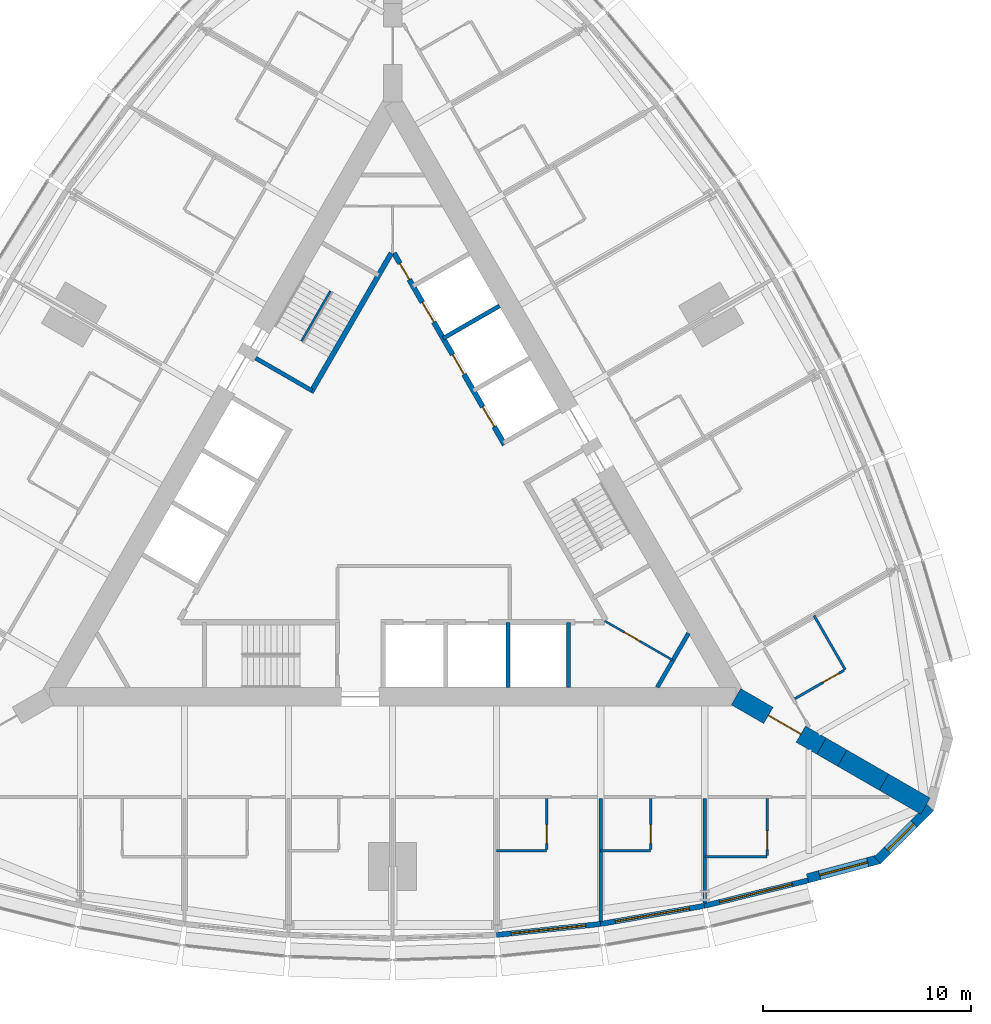
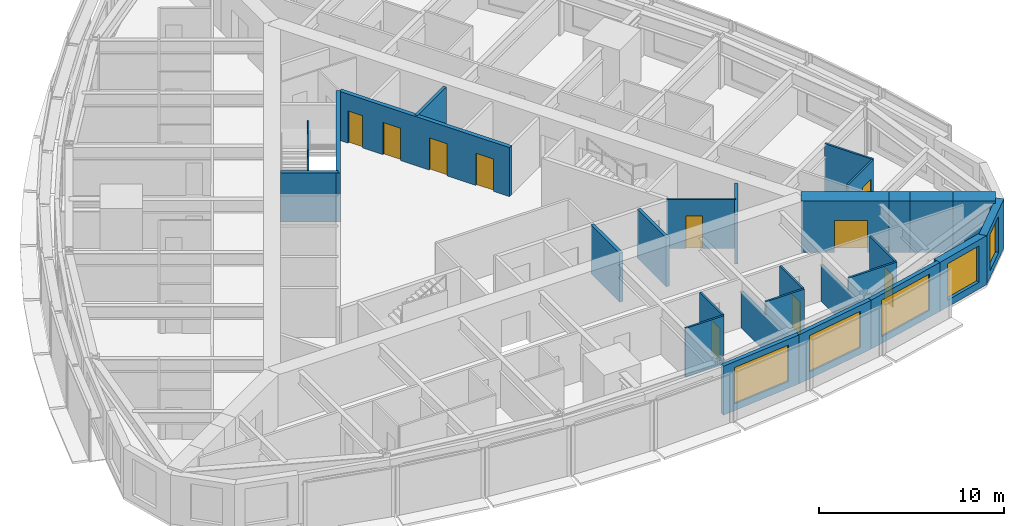
# One storey, part 10 of 14: 28 walls, 10 doors, 5 windows, 15 openings.
"""IFC4 building model written with IfcOpenShell, lengths in metres."""

from ifc_helpers import new_model, si_unit, direction, frame, frame_2d, origin, place, context, subcontext, project, spatial, polyline, rectangle, outline, extrude, material, layer, layer_set, type_object, element, fill, save


model = new_model("IFC4")

# Units and contexts
model_context = context("Model", 3, precision=1e-05, world=origin(), true_north=direction((0.0, 1.0)))
body_context = subcontext(model_context, "Body", "Model", "MODEL_VIEW")
ifc_project = project(units=[si_unit("LENGTHUNIT", "METRE"), si_unit("AREAUNIT", "SQUARE_METRE"), si_unit("VOLUMEUNIT", "CUBIC_METRE"), si_unit("PLANEANGLEUNIT", "RADIAN"), si_unit("MASSUNIT", "GRAM", prefix="KILO")], contexts=[model_context])

# Site, building, storey
site_placement = place(None, origin())
site = spatial("IfcSite", under=ifc_project, at=site_placement, CompositionType="ELEMENT")
building_placement = place(site_placement, origin())
building = spatial("IfcBuilding", under=site, at=building_placement, Name="Trikona Tower", CompositionType="ELEMENT")
storey_placement = place(building_placement, frame((0.0, 0.0, 148.699951171875)))
storey = spatial("IfcBuildingStorey", under=building, at=storey_placement, Name="L39", CompositionType="ELEMENT", Elevation=148.699951171875)

# Wall
ifc_material_1 = material(Name="Metal stud and cement board", Category="gypsum")
ifc_layer_1 = layer(ifc_material_1, 0.1201171875)
ifc_layer_set_1 = layer_set([ifc_layer_1], Name="Bathroom wall 120")
wall_type_1 = type_object("IfcWallType", Name="Bathroom wall 120", PredefinedType="PLUMBINGWALL", material=ifc_layer_set_1)
wall_1_placement = place(storey_placement, frame((5.0, -16.92626953125, 0.0), z_axis=(0.0, 0.0, 1.0), x_axis=(1.0, 0.0, 0.0)))
element("IfcWall", 1, at=wall_1_placement, inside=storey, type_object=wall_type_1, Name="Bathroom wall 3904", PredefinedType="PLUMBINGWALL", context=body_context, shape_type="SweptSolid", body=[
    extrude(rectangle(XDim=2.39990234375, YDim=0.1201171875, at=frame_2d((1.199951171875, 0.0))), origin(), (0.0, 0.0, 1.0), 3.235107421875),
])

# Wall, opening, door
wall_2_placement = place(storey_placement, frame((7.39990234375, -14.42626953125, 0.0), z_axis=(0.0, 0.0, 1.0), x_axis=(0.0, -1.0, 0.0)))
wall_2 = element("IfcWall", 2, at=wall_2_placement, inside=storey, type_object=wall_type_1, Name="Bathroom wall 3904", PredefinedType="PLUMBINGWALL", context=body_context, shape_type="SweptSolid", body=[
    extrude(rectangle(XDim=2.43994140625, YDim=0.1201171875, at=frame_2d((1.219970703125, 0.0))), origin(), (0.0, 0.0, 1.0), 3.235107421875),
])
opening_1_placement = place(wall_2_placement, frame((1.25, 0.0, 0.0)))
opening_1 = element("IfcOpeningElement", 3, at=opening_1_placement, cuts=wall_2, Name="Opening D2", PredefinedType="OPENING", context=body_context, shape_type="SweptSolid", body=[
    extrude(rectangle(XDim=0.89990234375, YDim=2.1298828125, at=frame_2d((0.449951171875, 1.06494140625))), frame((0.0, 0.070068359375, 0.0), z_axis=(0.0, -1.0, 0.0), x_axis=(1.0, 0.0, 0.0)), (0.0, 0.0, 1.0), 0.14013671875),
])
ifc_material_2 = material(Name="Steel door frame with solid-core timber leaf", Category="steel")
door_type_1 = type_object("IfcDoorType", Name="Bathroom door 900x2130", OperationType="SLIDING_TO_LEFT", PredefinedType="DOOR", material=ifc_material_2)
door_1_placement = place(opening_1_placement, origin())
door_1 = element("IfcDoor", 4, at=door_1_placement, inside=storey, type_object=door_type_1, Name="Bathroom door 3904", OperationType="SLIDING_TO_LEFT", OverallHeight=2.1298828125, OverallWidth=0.89990234375, PredefinedType="DOOR", context=body_context, shape_type="SweptSolid", body=[
    extrude(rectangle(XDim=0.89990234375, YDim=2.1298828125, at=frame_2d((0.449951171875, 1.06494140625))), frame((0.0, 0.02490234375, 0.0), z_axis=(0.0, -1.0, 0.0), x_axis=(1.0, 0.0, 0.0)), (0.0, 0.0, 1.0), 0.050048828125),
])
fill(opening_1, door_1)

# Wall
wall_3_placement = place(storey_placement, frame((10.0, -16.92626953125, 0.0), z_axis=(0.0, 0.0, 1.0), x_axis=(1.0, 0.0, 0.0)))
element("IfcWall", 5, at=wall_3_placement, inside=storey, type_object=wall_type_1, Name="Bathroom wall 3905", PredefinedType="PLUMBINGWALL", context=body_context, shape_type="SweptSolid", body=[
    extrude(rectangle(XDim=2.39990234375, YDim=0.1201171875, at=frame_2d((1.199951171875, 0.0))), origin(), (0.0, 0.0, 1.0), 3.235107421875),
])

# Wall, opening, door
wall_4_placement = place(storey_placement, frame((12.39990234375, -14.42626953125, 0.0), z_axis=(0.0, 0.0, 1.0), x_axis=(0.0, -1.0, 0.0)))
wall_4 = element("IfcWall", 6, at=wall_4_placement, inside=storey, type_object=wall_type_1, Name="Bathroom wall 3905", PredefinedType="PLUMBINGWALL", context=body_context, shape_type="SweptSolid", body=[
    extrude(rectangle(XDim=2.43994140625, YDim=0.1201171875, at=frame_2d((1.219970703125, 0.0))), origin(), (0.0, 0.0, 1.0), 3.235107421875),
])
opening_2_placement = place(wall_4_placement, frame((1.25, 0.0, 0.0)))
opening_2 = element("IfcOpeningElement", 7, at=opening_2_placement, cuts=wall_4, Name="Opening D2", PredefinedType="OPENING", context=body_context, shape_type="SweptSolid", body=[
    extrude(rectangle(XDim=0.89990234375, YDim=2.1298828125, at=frame_2d((0.449951171875, 1.06494140625))), frame((0.0, 0.070068359375, 0.0), z_axis=(0.0, -1.0, 0.0), x_axis=(1.0, 0.0, 0.0)), (0.0, 0.0, 1.0), 0.14013671875),
])
door_2_placement = place(opening_2_placement, origin())
door_2 = element("IfcDoor", 8, at=door_2_placement, inside=storey, type_object=door_type_1, Name="Bathroom door 3905", OperationType="SLIDING_TO_LEFT", OverallHeight=2.1298828125, OverallWidth=0.89990234375, PredefinedType="DOOR", context=body_context, shape_type="SweptSolid", body=[
    extrude(rectangle(XDim=0.89990234375, YDim=2.1298828125, at=frame_2d((0.449951171875, 1.06494140625))), frame((0.0, 0.02490234375, 0.0), z_axis=(0.0, -1.0, 0.0), x_axis=(1.0, 0.0, 0.0)), (0.0, 0.0, 1.0), 0.050048828125),
])
fill(opening_2, door_2)

# Wall
wall_5_placement = place(storey_placement, frame((15.0, -17.226318359375, 0.0), z_axis=(0.0, 0.0, 1.0), x_axis=(1.0, 0.0, 0.0)))
element("IfcWall", 9, at=wall_5_placement, inside=storey, type_object=wall_type_1, Name="Bathroom wall 3906", PredefinedType="PLUMBINGWALL", context=body_context, shape_type="SweptSolid", body=[
    extrude(rectangle(XDim=3.0, YDim=0.1201171875, at=frame_2d((1.5, 0.0))), origin(), (0.0, 0.0, 1.0), 3.235107421875),
])

# Wall, opening, door
wall_6_placement = place(storey_placement, frame((18.0, -14.42626953125, 0.0), z_axis=(0.0, 0.0, 1.0), x_axis=(0.0, -1.0, 0.0)))
wall_6 = element("IfcWall", 10, at=wall_6_placement, inside=storey, type_object=wall_type_1, Name="Bathroom wall 3906", PredefinedType="PLUMBINGWALL", context=body_context, shape_type="SweptSolid", body=[
    extrude(rectangle(XDim=2.739990234375, YDim=0.1201171875, at=frame_2d((1.3701171875, 0.0))), origin(), (0.0, 0.0, 1.0), 3.235107421875),
])
opening_3_placement = place(wall_6_placement, frame((1.550048828125, 0.0, 0.0)))
opening_3 = element("IfcOpeningElement", 11, at=opening_3_placement, cuts=wall_6, Name="Opening D2", PredefinedType="OPENING", context=body_context, shape_type="SweptSolid", body=[
    extrude(rectangle(XDim=0.89990234375, YDim=2.1298828125, at=frame_2d((0.449951171875, 1.06494140625))), frame((0.0, 0.070068359375, 0.0), z_axis=(0.0, -1.0, 0.0), x_axis=(1.0, 0.0, 0.0)), (0.0, 0.0, 1.0), 0.14013671875),
])
door_3_placement = place(opening_3_placement, origin())
door_3 = element("IfcDoor", 12, at=door_3_placement, inside=storey, type_object=door_type_1, Name="Bathroom door 3906", OperationType="SLIDING_TO_LEFT", OverallHeight=2.1298828125, OverallWidth=0.89990234375, PredefinedType="DOOR", context=body_context, shape_type="SweptSolid", body=[
    extrude(rectangle(XDim=0.89990234375, YDim=2.1298828125, at=frame_2d((0.449951171875, 1.06494140625))), frame((0.0, 0.02490234375, 0.0), z_axis=(0.0, -1.0, 0.0), x_axis=(1.0, 0.0, 0.0)), (0.0, 0.0, 1.0), 0.050048828125),
])
fill(opening_3, door_3)

# Wall
wall_7_placement = place(storey_placement, frame((21.75341796875, -8.225341796875, 0.0), z_axis=(0.0, 0.0, 1.0), x_axis=(-0.499990139034, 0.866031096941, 0.0)))
element("IfcWall", 13, at=wall_7_placement, inside=storey, type_object=wall_type_1, Name="Bathroom wall 3907", PredefinedType="PLUMBINGWALL", context=body_context, shape_type="SweptSolid", body=[
    extrude(rectangle(XDim=3.0, YDim=0.1201171875, at=frame_2d((1.5, 0.0))), origin(), (0.0, 0.0, 1.0), 3.235107421875),
])

# Wall, opening, door
wall_8_placement = place(storey_placement, frame((19.32861328125, -9.625244140625, 0.0), z_axis=(0.0, 0.0, 1.0), x_axis=(0.866035715982, 0.499982138324, 0.0)))
wall_8 = element("IfcWall", 14, at=wall_8_placement, inside=storey, type_object=wall_type_1, Name="Bathroom wall 3907", PredefinedType="PLUMBINGWALL", context=body_context, shape_type="SweptSolid", body=[
    extrude(rectangle(XDim=2.73974609375, YDim=0.1201171875, at=frame_2d((1.369873046875, 0.0))), origin(), (0.0, 0.0, 1.0), 3.235107421875),
])
opening_4_placement = place(wall_8_placement, frame((1.550048828125, 0.0, 0.0)))
opening_4 = element("IfcOpeningElement", 15, at=opening_4_placement, cuts=wall_8, Name="Opening D2", PredefinedType="OPENING", context=body_context, shape_type="SweptSolid", body=[
    extrude(rectangle(XDim=0.89990234375, YDim=2.1298828125, at=frame_2d((0.449951171875, 1.06494140625))), frame((0.0, 0.070068359375, 0.0), z_axis=(0.0, -1.0, 0.0), x_axis=(1.0, 0.0, 0.0)), (0.0, 0.0, 1.0), 0.14013671875),
])
door_4_placement = place(opening_4_placement, origin())
door_4 = element("IfcDoor", 16, at=door_4_placement, inside=storey, type_object=door_type_1, Name="Bathroom door 3907", OperationType="SLIDING_TO_LEFT", OverallHeight=2.1298828125, OverallWidth=0.89990234375, PredefinedType="DOOR", context=body_context, shape_type="SweptSolid", body=[
    extrude(rectangle(XDim=0.89990234375, YDim=2.1298828125, at=frame_2d((0.449951171875, 1.06494140625))), frame((0.0, 0.02490234375, 0.0), z_axis=(0.0, -1.0, 0.0), x_axis=(1.0, 0.0, 0.0)), (0.0, 0.0, 1.0), 0.050048828125),
])
fill(opening_4, door_4)

# Wall, opening, window
ifc_material_3 = material(Name="Brick-faced precast concrete", Category="masonry")
ifc_layer_2 = layer(ifc_material_3, 0.449951171875)
ifc_layer_set_2 = layer_set([ifc_layer_2], Name="Brick-faced corner wall 450")
wall_type_2 = type_object("IfcWallType", Name="Brick-faced corner wall 450", PredefinedType="SOLIDWALL", material=ifc_layer_set_2)
wall_9_placement = place(storey_placement, frame((19.94189453125, -18.2578125, 0.0), z_axis=(0.0, 0.0, 1.0), x_axis=(0.965924653531, 0.258823421857, 0.0)))
wall_9 = element("IfcWall", 17, at=wall_9_placement, inside=storey, type_object=wall_type_2, Name="External wall L39-08", PredefinedType="SOLIDWALL", context=body_context, shape_type="SweptSolid", body=[
    extrude(rectangle(XDim=3.58642578125, YDim=0.449951171875, at=frame_2d((1.793212890625, 0.0))), origin(), (0.0, 0.0, 1.0), 3.235107421875),
])
opening_5_placement = place(wall_9_placement, frame((0.593017578125, 0.0, 0.449951171875)))
opening_5 = element("IfcOpeningElement", 18, at=opening_5_placement, cuts=wall_9, Name="Opening W2424", PredefinedType="OPENING", context=body_context, shape_type="SweptSolid", body=[
    extrude(rectangle(XDim=2.39990234375, YDim=2.39990234375, at=frame_2d((1.199951171875, 1.199951171875))), frame((0.0, 0.23486328125, 0.0), z_axis=(0.0, -1.0, 0.0), x_axis=(1.0, 0.0, 0.0)), (0.0, 0.0, 1.0), 0.469970703125),
])
ifc_material_4 = material(Name="Aluminium-framed double glazing", Category="aluminium")
window_type_1 = type_object("IfcWindowType", Name="Window 2400x2400", PartitioningType="SINGLE_PANEL", PredefinedType="WINDOW", material=ifc_material_4)
window_1_placement = place(opening_5_placement, origin())
window_1 = element("IfcWindow", 19, at=window_1_placement, inside=storey, type_object=window_type_1, Name="Window 3906", OverallHeight=2.39990234375, OverallWidth=2.39990234375, PartitioningType="SINGLE_PANEL", PredefinedType="WINDOW", context=body_context, shape_type="SweptSolid", body=[
    extrude(rectangle(XDim=2.39990234375, YDim=2.39990234375, at=frame_2d((1.199951171875, 1.199951171875))), frame((0.0, 0.030029296875, 0.0), z_axis=(0.0, -1.0, 0.0), x_axis=(1.0, 0.0, 0.0)), (0.0, 0.0, 1.0), 0.06005859375),
])
fill(opening_5, window_1)

wall_10_placement = place(storey_placement, frame((23.304931640625, -17.387939453125, 0.0), z_axis=(0.0, 0.0, 1.0), x_axis=(0.707106781187, 0.707106781187, 0.0)))
wall_10 = element("IfcWall", 20, at=wall_10_placement, inside=storey, type_object=wall_type_2, Name="External wall L39-09", PredefinedType="SOLIDWALL", context=body_context, shape_type="SweptSolid", body=[
    extrude(outline(polyline([(3.586181640625, 0.22509765625), (3.527099609375, 0.22509765625), (3.03515625, 0.09326171875), (3.0, 0.22509765625), (0.0, 0.22509765625), (0.0, -0.22509765625), (3.586181640625, -0.22509765625), (3.586181640625, 0.22509765625)])), origin(), (0.0, 0.0, 1.0), 3.235107421875),
])
opening_6_placement = place(wall_10_placement, frame((0.6748046875, 0.0, 0.449951171875)))
opening_6 = element("IfcOpeningElement", 21, at=opening_6_placement, cuts=wall_10, Name="Opening W1824", PredefinedType="OPENING", context=body_context, shape_type="SweptSolid", body=[
    extrude(rectangle(XDim=1.800048828125, YDim=2.39990234375, at=frame_2d((0.89990234375, 1.199951171875))), frame((0.0, 0.23486328125, 0.0), z_axis=(0.0, -1.0, 0.0), x_axis=(1.0, 0.0, 0.0)), (0.0, 0.0, 1.0), 0.469970703125),
])
ifc_material_5 = material(Name="Aluminium-framed double glazing", Category="aluminium")
window_type_2 = type_object("IfcWindowType", Name="Window 1800x2400", PartitioningType="SINGLE_PANEL", PredefinedType="WINDOW", material=ifc_material_5)
window_2_placement = place(opening_6_placement, origin())
window_2 = element("IfcWindow", 22, at=window_2_placement, inside=storey, type_object=window_type_2, Name="Window 3906", OverallHeight=2.39990234375, OverallWidth=1.800048828125, PartitioningType="SINGLE_PANEL", PredefinedType="WINDOW", context=body_context, shape_type="SweptSolid", body=[
    extrude(rectangle(XDim=1.800048828125, YDim=2.39990234375, at=frame_2d((0.89990234375, 1.199951171875))), frame((0.0, 0.030029296875, 0.0), z_axis=(0.0, -1.0, 0.0), x_axis=(1.0, 0.0, 0.0)), (0.0, 0.0, 1.0), 0.06005859375),
])
fill(opening_6, window_2)

# Wall, opening, door
ifc_material_6 = material(Name="Concrete f'c 10000 psi", Category="concrete")
ifc_layer_3 = layer(ifc_material_6, 0.89990234375)
ifc_layer_set_3 = layer_set([ifc_layer_3], Name="Buttress wall 900")
wall_type_3 = type_object("IfcWallType", Name="Buttress wall 900", PredefinedType="SHEAR", material=ifc_layer_set_3)
wall_11_placement = place(storey_placement, frame((16.5, -9.5263671875, 0.0), z_axis=(0.0, 0.0, 1.0), x_axis=(0.866031398331, -0.499989616998, 0.0)))
wall_11 = element("IfcWall", 23, at=wall_11_placement, inside=storey, type_object=wall_type_3, Name="Buttress wall 1", PredefinedType="SHEAR", context=body_context, shape_type="SweptSolid", body=[
    extrude(rectangle(XDim=4.74609375, YDim=0.89990234375, at=frame_2d((2.373046875, 0.0))), origin(), (0.0, 0.0, 1.0), 3.400146484375),
])
opening_7_placement = place(wall_11_placement, frame((1.800048828125, 0.0, 0.0)))
opening_7 = element("IfcOpeningElement", 24, at=opening_7_placement, cuts=wall_11, Name="Opening D10", PredefinedType="OPENING", context=body_context, shape_type="SweptSolid", body=[
    extrude(rectangle(XDim=1.800048828125, YDim=2.1298828125, at=frame_2d((0.89990234375, 1.06494140625))), frame((0.0, 0.4599609375, 0.0), z_axis=(0.0, -1.0, 0.0), x_axis=(1.0, 0.0, 0.0)), (0.0, 0.0, 1.0), 0.919921875),
])
ifc_material_7 = material(Name="Hollow metal door and frame", Category="steel")
door_type_2 = type_object("IfcDoorType", Name="Cross-corridor door pair 1800x2130", OperationType="DOUBLE_DOOR_DOUBLE_SWING", PredefinedType="DOOR", material=ifc_material_7)
door_5_placement = place(opening_7_placement, origin())
door_5 = element("IfcDoor", 25, at=door_5_placement, inside=storey, type_object=door_type_2, Name="Cross-corridor door 1", OperationType="DOUBLE_DOOR_DOUBLE_SWING", OverallHeight=2.1298828125, OverallWidth=1.800048828125, PredefinedType="DOOR", context=body_context, shape_type="SweptSolid", body=[
    extrude(rectangle(XDim=1.800048828125, YDim=2.1298828125, at=frame_2d((0.89990234375, 1.06494140625))), frame((0.0, 0.02490234375, 0.0), z_axis=(0.0, -1.0, 0.0), x_axis=(1.0, 0.0, 0.0)), (0.0, 0.0, 1.0), 0.050048828125),
])
fill(opening_7, door_5)

# Walls
wall_12_placement = place(storey_placement, frame((20.6103515625, -11.8994140625, 0.0), z_axis=(0.0, 0.0, 1.0), x_axis=(0.866009537788, -0.500027479704, 0.0)))
element("IfcWall", 26, at=wall_12_placement, inside=storey, type_object=wall_type_3, Name="Buttress wall 1 part 2", PredefinedType="SHEAR", context=body_context, shape_type="SweptSolid", body=[
    extrude(rectangle(XDim=1.15478515625, YDim=0.89990234375, at=frame_2d((0.577392578125, 0.0))), origin(), (0.0, 0.0, 1.0), 3.400146484375),
])
for number, where, z_axis, x_axis, name in (
    (27, (21.6103515625, -12.476806640625, 0.0), (0.0, 0.0, 1.0), (0.866055313784, -0.499948190782, 0.0), "Buttress wall 1 part 3"),
    (28, (23.6103515625, -13.63134765625, 0.0), (0.0, 0.0, 1.0), (0.866009537788, -0.500027479704, 0.0), "Buttress wall 1 part 4"),
):
    element("IfcWall", number, at=place(storey_placement, frame(where, z_axis=z_axis, x_axis=x_axis)), inside=storey, type_object=wall_type_3, Name=name, PredefinedType="SHEAR", context=body_context, shape_type="SweptSolid", body=[
        extrude(rectangle(XDim=2.309326171875, YDim=0.89990234375, at=frame_2d((1.15478515625, 0.0))), origin(), (0.0, 0.0, 1.0), 3.400146484375),
    ])

# Wall, openings, doors
ifc_material_8 = material(Name="Concrete f'c 8000 psi", Category="concrete")
ifc_layer_4 = layer(ifc_material_8, 0.25)
ifc_layer_set_4 = layer_set([ifc_layer_4], Name="Hub wall 250")
wall_type_4 = type_object("IfcWallType", Name="Hub wall 250", PredefinedType="SOLIDWALL", material=ifc_layer_set_4)
wall_13_placement = place(storey_placement, frame((5.37890625, 2.5859375, 0.0), z_axis=(0.0, 0.0, 1.0), x_axis=(-0.500001375892, 0.866024609411, 0.0)))
wall_13 = element("IfcWall", 29, at=wall_13_placement, inside=storey, type_object=wall_type_4, Name="Lift lobby wall B2", PredefinedType="SOLIDWALL", context=body_context, shape_type="SweptSolid", body=[
    extrude(rectangle(XDim=10.6328125, YDim=0.25, at=frame_2d((5.31640625, 0.0))), origin(), (0.0, 0.0, 1.0), 3.235107421875),
])
opening_8_placement = place(wall_13_placement, frame((9.1640625, 0.0, 0.0)))
opening_8 = element("IfcOpeningElement", 30, at=opening_8_placement, cuts=wall_13, Name="Opening D14", PredefinedType="OPENING", context=body_context, shape_type="SweptSolid", body=[
    extrude(rectangle(XDim=0.89990234375, YDim=2.1298828125, at=frame_2d((0.449951171875, 1.06494140625))), frame((0.0, 0.135009765625, 0.0), z_axis=(0.0, -1.0, 0.0), x_axis=(1.0, 0.0, 0.0)), (0.0, 0.0, 1.0), 0.27001953125),
])
opening_9_placement = place(wall_13_placement, frame((1.0, 0.0, 0.0)))
opening_9 = element("IfcOpeningElement", 31, at=opening_9_placement, cuts=wall_13, Name="Opening LD", PredefinedType="OPENING", context=body_context, shape_type="SweptSolid", body=[
    extrude(rectangle(XDim=1.10009765625, YDim=2.1298828125, at=frame_2d((0.550048828125, 1.06494140625))), frame((0.0, 0.135009765625, 0.0), z_axis=(0.0, -1.0, 0.0), x_axis=(1.0, 0.0, 0.0)), (0.0, 0.0, 1.0), 0.27001953125),
])
opening_10_placement = place(wall_13_placement, frame((3.89990234375, 0.0, 0.0)))
opening_10 = element("IfcOpeningElement", 32, at=opening_10_placement, cuts=wall_13, Name="Opening LD", PredefinedType="OPENING", context=body_context, shape_type="SweptSolid", body=[
    extrude(rectangle(XDim=1.10009765625, YDim=2.1298828125, at=frame_2d((0.550048828125, 1.06494140625))), frame((0.0, 0.135009765625, 0.0), z_axis=(0.0, -1.0, 0.0), x_axis=(1.0, 0.0, 0.0)), (0.0, 0.0, 1.0), 0.27001953125),
])
opening_11_placement = place(wall_13_placement, frame((6.800048828125, 0.0, 0.0)))
opening_11 = element("IfcOpeningElement", 33, at=opening_11_placement, cuts=wall_13, Name="Opening LD", PredefinedType="OPENING", context=body_context, shape_type="SweptSolid", body=[
    extrude(rectangle(XDim=1.10009765625, YDim=2.1298828125, at=frame_2d((0.550048828125, 1.06494140625))), frame((0.0, 0.135009765625, 0.0), z_axis=(0.0, -1.0, 0.0), x_axis=(1.0, 0.0, 0.0)), (0.0, 0.0, 1.0), 0.27001953125),
])
ifc_material_9 = material(Name="Stainless steel lift landing door", Category="steel")
door_type_3 = type_object("IfcDoorType", Name="Lift landing door 1100x2130", OperationType="DOUBLE_DOOR_SLIDING", PredefinedType="USERDEFINED", material=ifc_material_9)
door_6_placement = place(opening_9_placement, origin())
door_6 = element("IfcDoor", 34, at=door_6_placement, inside=storey, type_object=door_type_3, Name="Lift landing door L2-1", ObjectType="LIFT LANDING DOOR", OperationType="DOUBLE_DOOR_SLIDING", OverallHeight=2.1298828125, OverallWidth=1.10009765625, PredefinedType="USERDEFINED", context=body_context, shape_type="SweptSolid", body=[
    extrude(rectangle(XDim=1.10009765625, YDim=2.1298828125, at=frame_2d((0.550048828125, 1.06494140625))), frame((0.0, 0.02490234375, 0.0), z_axis=(0.0, -1.0, 0.0), x_axis=(1.0, 0.0, 0.0)), (0.0, 0.0, 1.0), 0.050048828125),
])
fill(opening_9, door_6)
door_7_placement = place(opening_10_placement, origin())
door_7 = element("IfcDoor", 35, at=door_7_placement, inside=storey, type_object=door_type_3, Name="Lift landing door L2-2", ObjectType="LIFT LANDING DOOR", OperationType="DOUBLE_DOOR_SLIDING", OverallHeight=2.1298828125, OverallWidth=1.10009765625, PredefinedType="USERDEFINED", context=body_context, shape_type="SweptSolid", body=[
    extrude(rectangle(XDim=1.10009765625, YDim=2.1298828125, at=frame_2d((0.550048828125, 1.06494140625))), frame((0.0, 0.02490234375, 0.0), z_axis=(0.0, -1.0, 0.0), x_axis=(1.0, 0.0, 0.0)), (0.0, 0.0, 1.0), 0.050048828125),
])
fill(opening_10, door_7)
door_8_placement = place(opening_11_placement, origin())
door_8 = element("IfcDoor", 36, at=door_8_placement, inside=storey, type_object=door_type_3, Name="Lift landing door L2-3", ObjectType="LIFT LANDING DOOR", OperationType="DOUBLE_DOOR_SLIDING", OverallHeight=2.1298828125, OverallWidth=1.10009765625, PredefinedType="USERDEFINED", context=body_context, shape_type="SweptSolid", body=[
    extrude(rectangle(XDim=1.10009765625, YDim=2.1298828125, at=frame_2d((0.550048828125, 1.06494140625))), frame((0.0, 0.02490234375, 0.0), z_axis=(0.0, -1.0, 0.0), x_axis=(1.0, 0.0, 0.0)), (0.0, 0.0, 1.0), 0.050048828125),
])
fill(opening_11, door_8)
ifc_material_10 = material(Name="Hollow metal door and frame", Category="steel")
door_type_4 = type_object("IfcDoorType", Name="Service room door 900x2130", OperationType="SINGLE_SWING_LEFT", PredefinedType="DOOR", material=ifc_material_10)
door_9_placement = place(opening_8_placement, origin())
door_9 = element("IfcDoor", 37, at=door_9_placement, inside=storey, type_object=door_type_4, Name="Door Linen store LIN", OperationType="SINGLE_SWING_RIGHT", OverallHeight=2.1298828125, OverallWidth=0.89990234375, PredefinedType="DOOR", context=body_context, shape_type="SweptSolid", body=[
    extrude(rectangle(XDim=0.89990234375, YDim=2.1298828125, at=frame_2d((0.449951171875, 1.06494140625))), frame((0.0, 0.02490234375, 0.0), z_axis=(0.0, -1.0, 0.0), x_axis=(1.0, 0.0, 0.0)), (0.0, 0.0, 1.0), 0.050048828125),
])
fill(opening_8, door_9)

# Wall
wall_14_placement = place(storey_placement, frame((-0.0625, 11.794189453125, 0.0), z_axis=(0.0, 0.0, 1.0), x_axis=(-0.500006680225, -0.86602154692, 0.0)))
element("IfcWall", 38, at=wall_14_placement, inside=storey, type_object=wall_type_4, Name="Lift lobby wall C1", PredefinedType="SOLIDWALL", context=body_context, shape_type="SweptSolid", body=[
    extrude(rectangle(XDim=7.73291015625, YDim=0.25, at=frame_2d((3.866455078125, 0.0))), origin(), (0.0, 0.0, 1.0), 3.235107421875),
])

# Wall, opening, window
ifc_material_11 = material(Name="Insulated precast concrete spandrel panel", Category="concrete")
ifc_layer_5 = layer(ifc_material_11, 0.25)
ifc_layer_set_5 = layer_set([ifc_layer_5], Name="Inner skin wall 250")
wall_type_5 = type_object("IfcWallType", Name="Inner skin wall 250", PredefinedType="STANDARD", material=ifc_layer_set_5)
wall_15_placement = place(storey_placement, frame((4.98681640625, -20.975830078125, 0.0), z_axis=(0.0, 0.0, 1.0), x_axis=(0.994534683851, 0.104406717299, 0.0)))
wall_15 = element("IfcWall", 39, at=wall_15_placement, inside=storey, type_object=wall_type_5, Name="External wall L39-05", PredefinedType="STANDARD", context=body_context, shape_type="SweptSolid", body=[
    extrude(rectangle(XDim=5.027587890625, YDim=0.25, at=frame_2d((2.513671875, 0.0))), origin(), (0.0, 0.0, 1.0), 3.235107421875),
])
opening_12_placement = place(wall_15_placement, frame((0.713623046875, 0.0, 0.449951171875)))
opening_12 = element("IfcOpeningElement", 40, at=opening_12_placement, cuts=wall_15, Name="Opening W3624", PredefinedType="OPENING", context=body_context, shape_type="SweptSolid", body=[
    extrude(rectangle(XDim=3.60009765625, YDim=2.39990234375, at=frame_2d((1.800048828125, 1.199951171875))), frame((0.0, 0.135009765625, 0.0), z_axis=(0.0, -1.0, 0.0), x_axis=(1.0, 0.0, 0.0)), (0.0, 0.0, 1.0), 0.27001953125),
])
ifc_material_12 = material(Name="Aluminium-framed double glazing", Category="aluminium")
window_type_3 = type_object("IfcWindowType", Name="Window 3600x2400", PartitioningType="SINGLE_PANEL", PredefinedType="WINDOW", material=ifc_material_12)
window_3_placement = place(opening_12_placement, origin())
window_3 = element("IfcWindow", 41, at=window_3_placement, inside=storey, type_object=window_type_3, Name="Window 3904", OverallHeight=2.39990234375, OverallWidth=3.60009765625, PartitioningType="SINGLE_PANEL", PredefinedType="WINDOW", context=body_context, shape_type="SweptSolid", body=[
    extrude(rectangle(XDim=3.60009765625, YDim=2.39990234375, at=frame_2d((1.800048828125, 1.199951171875))), frame((0.0, 0.030029296875, 0.0), z_axis=(0.0, -1.0, 0.0), x_axis=(1.0, 0.0, 0.0)), (0.0, 0.0, 1.0), 0.06005859375),
])
fill(opening_12, window_3)

wall_16_placement = place(storey_placement, frame((9.978515625, -20.4521484375, 0.0), z_axis=(0.0, 0.0, 1.0), x_axis=(0.985030467156, 0.172380331752, 0.0)))
wall_16 = element("IfcWall", 42, at=wall_16_placement, inside=storey, type_object=wall_type_5, Name="External wall L39-06", PredefinedType="STANDARD", context=body_context, shape_type="SweptSolid", body=[
    extrude(rectangle(XDim=5.075927734375, YDim=0.25, at=frame_2d((2.5380859375, 0.0))), origin(), (0.0, 0.0, 1.0), 3.235107421875),
])
opening_13_placement = place(wall_16_placement, frame((0.738037109375, 0.0, 0.449951171875)))
opening_13 = element("IfcOpeningElement", 43, at=opening_13_placement, cuts=wall_16, Name="Opening W3624", PredefinedType="OPENING", context=body_context, shape_type="SweptSolid", body=[
    extrude(rectangle(XDim=3.60009765625, YDim=2.39990234375, at=frame_2d((1.800048828125, 1.199951171875))), frame((0.0, 0.135009765625, 0.0), z_axis=(0.0, -1.0, 0.0), x_axis=(1.0, 0.0, 0.0)), (0.0, 0.0, 1.0), 0.27001953125),
])
window_4_placement = place(opening_13_placement, origin())
window_4 = element("IfcWindow", 44, at=window_4_placement, inside=storey, type_object=window_type_3, Name="Window 3905", OverallHeight=2.39990234375, OverallWidth=3.60009765625, PartitioningType="SINGLE_PANEL", PredefinedType="WINDOW", context=body_context, shape_type="SweptSolid", body=[
    extrude(rectangle(XDim=3.60009765625, YDim=2.39990234375, at=frame_2d((1.800048828125, 1.199951171875))), frame((0.0, 0.030029296875, 0.0), z_axis=(0.0, -1.0, 0.0), x_axis=(1.0, 0.0, 0.0)), (0.0, 0.0, 1.0), 0.06005859375),
])
fill(opening_13, window_4)

wall_17_placement = place(storey_placement, frame((14.97021484375, -19.578857421875, 0.0), z_axis=(0.0, 0.0, 1.0), x_axis=(0.971270024053, 0.237980126011, 0.0)))
wall_17 = element("IfcWall", 45, at=wall_17_placement, inside=storey, type_object=wall_type_5, Name="External wall L39-07", PredefinedType="STANDARD", context=body_context, shape_type="SweptSolid", body=[
    extrude(rectangle(XDim=5.14794921875, YDim=0.25, at=frame_2d((2.573974609375, 0.0))), origin(), (0.0, 0.0, 1.0), 3.235107421875),
])
opening_14_placement = place(wall_17_placement, frame((0.77392578125, 0.0, 0.449951171875)))
opening_14 = element("IfcOpeningElement", 46, at=opening_14_placement, cuts=wall_17, Name="Opening W3624", PredefinedType="OPENING", context=body_context, shape_type="SweptSolid", body=[
    extrude(rectangle(XDim=3.60009765625, YDim=2.39990234375, at=frame_2d((1.800048828125, 1.199951171875))), frame((0.0, 0.135009765625, 0.0), z_axis=(0.0, -1.0, 0.0), x_axis=(1.0, 0.0, 0.0)), (0.0, 0.0, 1.0), 0.27001953125),
])
window_5_placement = place(opening_14_placement, origin())
window_5 = element("IfcWindow", 47, at=window_5_placement, inside=storey, type_object=window_type_3, Name="Window 3906", OverallHeight=2.39990234375, OverallWidth=3.60009765625, PartitioningType="SINGLE_PANEL", PredefinedType="WINDOW", context=body_context, shape_type="SweptSolid", body=[
    extrude(rectangle(XDim=3.60009765625, YDim=2.39990234375, at=frame_2d((1.800048828125, 1.199951171875))), frame((0.0, 0.030029296875, 0.0), z_axis=(0.0, -1.0, 0.0), x_axis=(1.0, 0.0, 0.0)), (0.0, 0.0, 1.0), 0.06005859375),
])
fill(opening_14, window_5)

# Walls
ifc_material_13 = material(Name="Metal stud and gypsum board, 1-hour acoustic", Category="gypsum")
ifc_layer_6 = layer(ifc_material_13, 0.14990234375)
ifc_layer_set_6 = layer_set([ifc_layer_6], Name="Party wall 150")
wall_type_6 = type_object("IfcWallType", Name="Party wall 150", PredefinedType="PARTITIONING", material=ifc_layer_set_6)
wall_18_placement = place(storey_placement, frame((10.0, -14.42626953125, 0.0), z_axis=(0.0, 0.0, 1.0), x_axis=(0.0, -1.0, 0.0)))
element("IfcWall", 48, at=wall_18_placement, inside=storey, type_object=wall_type_6, Name="Partition L39 F1 u10", PredefinedType="PARTITIONING", context=body_context, shape_type="SweptSolid", body=[
    extrude(rectangle(XDim=5.89501953125, YDim=0.14990234375, at=frame_2d((2.947509765625, 0.0))), origin(), (0.0, 0.0, 1.0), 2.38916015625),
])
wall_19_placement = place(storey_placement, frame((15.0, -14.42626953125, 0.0), z_axis=(0.0, 0.0, 1.0), x_axis=(0.0, -1.0, 0.0)))
element("IfcWall", 49, at=wall_19_placement, inside=storey, type_object=wall_type_6, Name="Partition L39 F1 u15", PredefinedType="PARTITIONING", context=body_context, shape_type="SweptSolid", body=[
    extrude(rectangle(XDim=5.0166015625, YDim=0.14990234375, at=frame_2d((2.50830078125, 0.0))), origin(), (0.0, 0.0, 1.0), 2.38916015625),
])
ifc_material_14 = material(Name="Concrete f'c 8000 psi", Category="concrete")
ifc_layer_7 = layer(ifc_material_14, 0.199951171875)
ifc_layer_set_7 = layer_set([ifc_layer_7], Name="Shaft wall 200")
wall_type_7 = type_object("IfcWallType", Name="Shaft wall 200", PredefinedType="SOLIDWALL", material=ifc_layer_set_7)
for number, where, z_axis, x_axis, name in (
    (50, (5.550048828125, -5.951416015625, 0.0), (0.0, 0.0, 1.0), (0.0, -1.0, 0.0), "Shaft wall A5"),
    (51, (8.449951171875, -5.951416015625, 0.0), (0.0, 0.0, 1.0), (0.0, -1.0, 0.0), "Shaft wall A6"),
    (52, (2.428955078125, 7.695556640625, 0.0), (0.0, 0.0, 1.0), (0.866022959057, 0.500004234368, 0.0), "Shaft wall B5"),
):
    element("IfcWall", number, at=place(storey_placement, frame(where, z_axis=z_axis, x_axis=x_axis)), inside=storey, type_object=wall_type_7, Name=name, PredefinedType="SOLIDWALL", context=body_context, shape_type="SweptSolid", body=[
        extrude(rectangle(XDim=3.125, YDim=0.199951171875, at=frame_2d((1.5625, 0.0))), origin(), (0.0, 0.0, 1.0), 3.235107421875),
    ])
wall_20_placement = place(storey_placement, frame((14.219482421875, -6.476318359375, 0.0), z_axis=(0.0, 0.0, 1.0), x_axis=(-0.499952404951, -0.866052881055, 0.0)))
element("IfcWall", 53, at=wall_20_placement, inside=storey, type_object=wall_type_7, Name="Riser wall L39-RS1", PredefinedType="SOLIDWALL", context=body_context, shape_type="SweptSolid", body=[
    extrude(rectangle(XDim=3.002197265625, YDim=0.199951171875, at=frame_2d((1.5009765625, 0.0))), origin(), (0.0, 0.0, 1.0), 3.235107421875),
])
ifc_material_15 = material(Name="Concrete f'c 8000 psi", Category="concrete")
ifc_layer_8 = layer(ifc_material_15, 0.199951171875)
ifc_layer_set_8 = layer_set([ifc_layer_8], Name="Shaft wall 200 load-bearing")
wall_type_8 = type_object("IfcWallType", Name="Shaft wall 200 load-bearing", PredefinedType="SOLIDWALL", material=ifc_layer_set_8)
wall_21_placement = place(storey_placement, frame((-3.87890625, 5.18408203125, 0.0), z_axis=(0.0, 0.0, 1.0), x_axis=(-0.866022959057, 0.500004234368, 0.0)))
element("IfcWall", 54, at=wall_21_placement, inside=storey, type_object=wall_type_8, Name="Shaft wall C2", PredefinedType="SOLIDWALL", context=body_context, shape_type="SweptSolid", body=[
    extrude(rectangle(XDim=3.125, YDim=0.199951171875, at=frame_2d((1.5625, 0.0))), origin(), (0.0, 0.0, 1.0), 3.235107421875),
])
ifc_material_16 = material(Name="Concrete f'c 5000 psi", Category="concrete")
ifc_layer_9 = layer(ifc_material_16, 0.10009765625)
ifc_layer_set_9 = layer_set([ifc_layer_9], Name="Stair spine wall 100")
wall_type_9 = type_object("IfcWallType", Name="Stair spine wall 100", PredefinedType="SOLIDWALL", material=ifc_layer_set_9)
wall_22_placement = place(storey_placement, frame((-2.98779296875, 9.9775390625, 0.0), z_axis=(0.0, 0.0, 1.0), x_axis=(-0.499992232847, -0.866029888106, 0.0)))
element("IfcWall", 55, at=wall_22_placement, inside=storey, type_object=wall_type_9, Name="Stair C spine wall L39", PredefinedType="SOLIDWALL", context=body_context, shape_type="SweptSolid", body=[
    extrude(rectangle(XDim=2.7939453125, YDim=0.10009765625, at=frame_2d((1.39697265625, 0.0))), origin(), (0.0, 0.0, 1.0), 3.400146484375),
])

# Wall, opening, door
ifc_material_17 = material(Name="Metal stud and gypsum board, acoustic", Category="gypsum")
ifc_layer_10 = layer(ifc_material_17, 0.10009765625)
ifc_layer_set_10 = layer_set([ifc_layer_10], Name="Suite partition 100")
wall_type_10 = type_object("IfcWallType", Name="Suite partition 100", PredefinedType="PARTITIONING", material=ifc_layer_set_10)
wall_23_placement = place(storey_placement, frame((13.468994140625, -7.7763671875, 0.0), z_axis=(0.0, 0.0, 1.0), x_axis=(-0.866021898093, 0.500006071987, 0.0)))
wall_23 = element("IfcWall", 56, at=wall_23_placement, inside=storey, type_object=wall_type_10, Name="Store partition L39-RS1", PredefinedType="PARTITIONING", context=body_context, shape_type="SweptSolid", body=[
    extrude(rectangle(XDim=3.775390625, YDim=0.10009765625, at=frame_2d((1.8876953125, 0.0))), origin(), (0.0, 0.0, 1.0), 3.235107421875),
])
opening_15_placement = place(wall_23_placement, frame((1.815185546875, 0.0, 0.0)))
opening_15 = element("IfcOpeningElement", 57, at=opening_15_placement, cuts=wall_23, Name="Opening D15", PredefinedType="OPENING", context=body_context, shape_type="SweptSolid", body=[
    extrude(rectangle(XDim=0.89990234375, YDim=2.1298828125, at=frame_2d((0.449951171875, 1.06494140625))), frame((0.0, 0.06005859375, 0.0), z_axis=(0.0, -1.0, 0.0), x_axis=(1.0, 0.0, 0.0)), (0.0, 0.0, 1.0), 0.1201171875),
])
ifc_material_18 = material(Name="Steel door frame with solid-core timber leaf", Category="steel")
door_type_5 = type_object("IfcDoorType", Name="Store door 900x2130", OperationType="SINGLE_SWING_LEFT", PredefinedType="DOOR", material=ifc_material_18)
door_10_placement = place(opening_15_placement, origin())
door_10 = element("IfcDoor", 58, at=door_10_placement, inside=storey, type_object=door_type_5, Name="Door Uniform store UNF", OperationType="SINGLE_SWING_RIGHT", OverallHeight=2.1298828125, OverallWidth=0.89990234375, PredefinedType="DOOR", context=body_context, shape_type="SweptSolid", body=[
    extrude(rectangle(XDim=0.89990234375, YDim=2.1298828125, at=frame_2d((0.449951171875, 1.06494140625))), frame((0.0, 0.02490234375, 0.0), z_axis=(0.0, -1.0, 0.0), x_axis=(1.0, 0.0, 0.0)), (0.0, 0.0, 1.0), 0.050048828125),
])
fill(opening_15, door_10)

save(model, "model.ifc")
